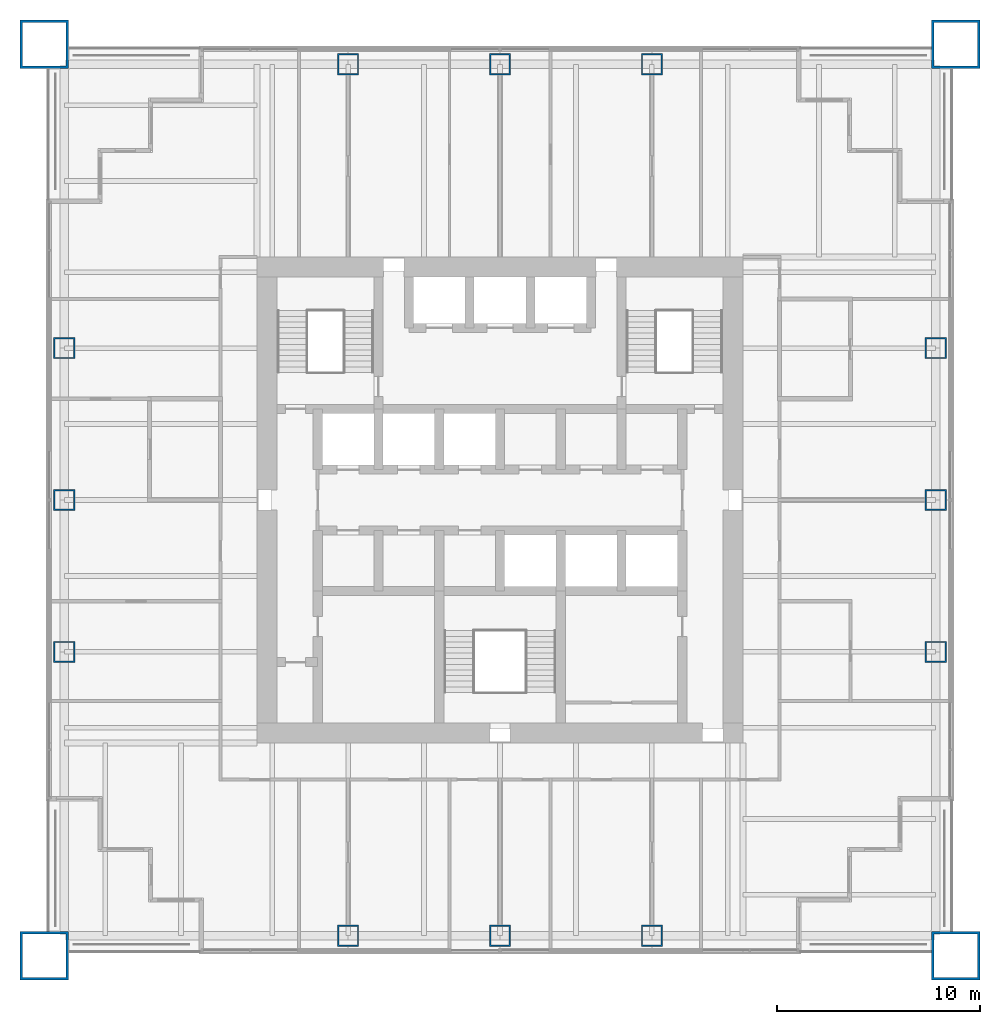
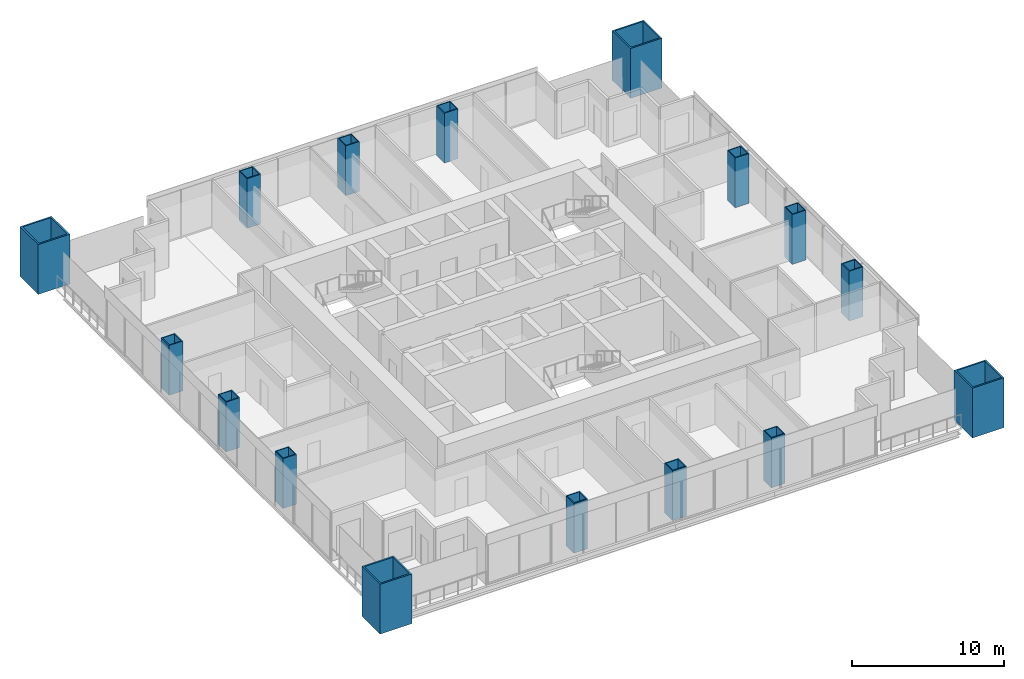
# One storey, part 1 of 13: 16 columns.
"""IFC4 building model written with IfcOpenShell, lengths in metres."""

from ifc_helpers import new_model, si_unit, direction, frame, origin, origin_2d, place, context, subcontext, project, spatial, hollow_rectangle, extrude, material, material_profile, profile_set, type_object, element, save


model = new_model("IFC4")

# Units and contexts
model_context = context("Model", 3, precision=1e-05, world=origin(), true_north=direction((0.0, 1.0)))
body_context = subcontext(model_context, "Body", "Model", "MODEL_VIEW")
ifc_project = project(units=[si_unit("LENGTHUNIT", "METRE"), si_unit("AREAUNIT", "SQUARE_METRE"), si_unit("VOLUMEUNIT", "CUBIC_METRE"), si_unit("PLANEANGLEUNIT", "RADIAN"), si_unit("MASSUNIT", "GRAM", prefix="KILO")], contexts=[model_context])

# Site, building, storey
site_placement = place(None, origin())
site = spatial("IfcSite", under=ifc_project, at=site_placement, CompositionType="ELEMENT")
building_placement = place(site_placement, origin())
building = spatial("IfcBuilding", under=site, at=building_placement, Name="Tarangal Relay Tower", CompositionType="ELEMENT")
storey_placement = place(building_placement, frame((0.0, 0.0, 189.89990234375)))
storey = spatial("IfcBuildingStorey", under=building, at=storey_placement, Name="L39", CompositionType="ELEMENT", Elevation=189.89990234375)

# Columns
ifc_material_1 = material(Name="Steel ASTM A572 Grade 42", Category="steel")
ifc_material_profile_1 = material_profile(ifc_material_1, hollow_rectangle(XDim=2.39990234375, YDim=2.39990234375, WallThickness=0.1201171875, at=origin_2d()), Name="BOX2400X2400X120")
ifc_profile_set_1 = profile_set([ifc_material_profile_1], Name="Steel ASTM A572 Grade 42")
column_type_1 = type_object("IfcColumnType", Name="Mega column BOX2400X2400X120", PredefinedType="COLUMN", material=ifc_profile_set_1)
for number, where, z_axis, x_axis, name in (
    (1, (22.5, 22.5, 0.0), (0.0, 0.0, 1.0), (1.0, 0.0, 0.0), "Mega column MC3 NE L39"),
    (2, (22.5, -22.5, 0.0), (0.0, 0.0, 1.0), (1.0, 0.0, 0.0), "Mega column MC3 SE L39"),
    (3, (-22.5, -22.5, 0.0), (0.0, 0.0, 1.0), (1.0, 0.0, 0.0), "Mega column MC3 SW L39"),
    (4, (-22.5, 22.5, 0.0), (0.0, 0.0, 1.0), (1.0, 0.0, 0.0), "Mega column MC3 NW L39"),
):
    element("IfcColumn", number, at=place(storey_placement, frame(where, z_axis=z_axis, x_axis=x_axis)), inside=storey, type_object=column_type_1, Name=name, PredefinedType="COLUMN", context=body_context, shape_type="SweptSolid", body=[
        extrude(hollow_rectangle(XDim=2.39990234375, YDim=2.39990234375, WallThickness=0.1201171875, at=origin_2d()), origin(), (0.0, 0.0, 1.0), 4.0),
    ])
ifc_material_2 = material(Name="Steel ASTM A572 Grade 50", Category="steel")
ifc_material_profile_2 = material_profile(ifc_material_2, hollow_rectangle(XDim=1.050048828125, YDim=1.050048828125, WallThickness=0.070068359375, at=origin_2d()), Name="BOX1050X1050X70")
ifc_profile_set_2 = profile_set([ifc_material_profile_2], Name="Steel ASTM A572 Grade 50")
column_type_2 = type_object("IfcColumnType", Name="Perimeter column BOX1050X1050X70", PredefinedType="COLUMN", material=ifc_profile_set_2)
for number, where, z_axis, x_axis, name in (
    (5, (-7.5, 21.514892578125, 0.0), (0.0, 0.0, 1.0), (1.0, 0.0, 0.0), "Perimeter column PC4 N L39"),
    (6, (0.0, 21.514892578125, 0.0), (0.0, 0.0, 1.0), (1.0, 0.0, 0.0), "Perimeter column PC4 N L39"),
    (7, (7.5, 21.514892578125, 0.0), (0.0, 0.0, 1.0), (1.0, 0.0, 0.0), "Perimeter column PC4 N L39"),
    (8, (21.514892578125, 7.5, 0.0), (0.0, 0.0, 1.0), (1.0, 0.0, 0.0), "Perimeter column PC4 E L39"),
    (9, (21.514892578125, 0.0, 0.0), (0.0, 0.0, 1.0), (1.0, 0.0, 0.0), "Perimeter column PC4 E L39"),
    (10, (21.514892578125, -7.5, 0.0), (0.0, 0.0, 1.0), (1.0, 0.0, 0.0), "Perimeter column PC4 E L39"),
    (11, (7.5, -21.514892578125, 0.0), (0.0, 0.0, 1.0), (1.0, 0.0, 0.0), "Perimeter column PC4 S L39"),
    (12, (0.0, -21.514892578125, 0.0), (0.0, 0.0, 1.0), (1.0, 0.0, 0.0), "Perimeter column PC4 S L39"),
    (13, (-7.5, -21.514892578125, 0.0), (0.0, 0.0, 1.0), (1.0, 0.0, 0.0), "Perimeter column PC4 S L39"),
    (14, (-21.514892578125, -7.5, 0.0), (0.0, 0.0, 1.0), (1.0, 0.0, 0.0), "Perimeter column PC4 W L39"),
    (15, (-21.514892578125, 0.0, 0.0), (0.0, 0.0, 1.0), (1.0, 0.0, 0.0), "Perimeter column PC4 W L39"),
    (16, (-21.514892578125, 7.5, 0.0), (0.0, 0.0, 1.0), (1.0, 0.0, 0.0), "Perimeter column PC4 W L39"),
):
    element("IfcColumn", number, at=place(storey_placement, frame(where, z_axis=z_axis, x_axis=x_axis)), inside=storey, type_object=column_type_2, Name=name, PredefinedType="COLUMN", context=body_context, shape_type="SweptSolid", body=[
        extrude(hollow_rectangle(XDim=1.050048828125, YDim=1.050048828125, WallThickness=0.070068359375, at=origin_2d()), origin(), (0.0, 0.0, 1.0), 4.0),
    ])

save(model, "model.ifc")
